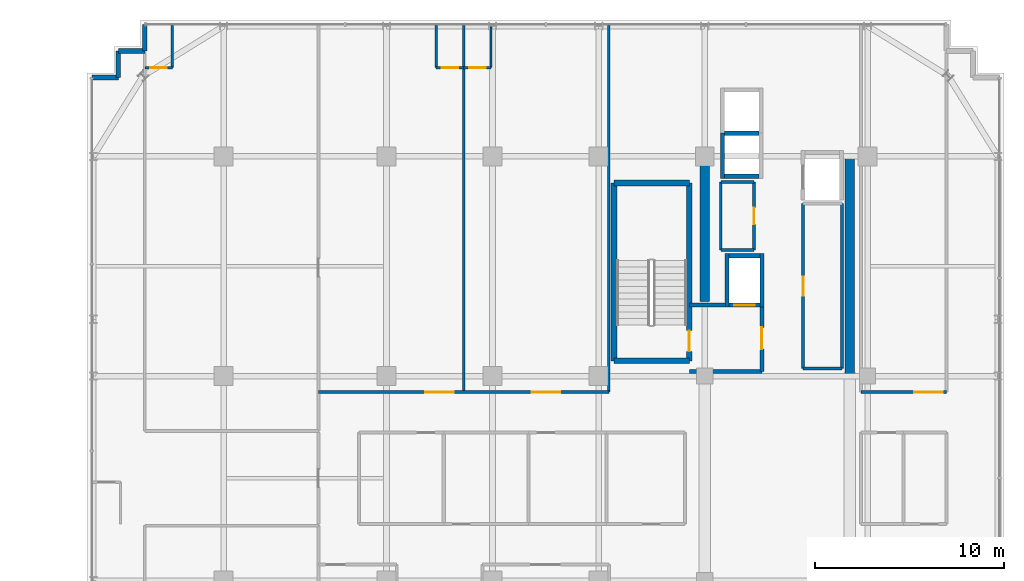
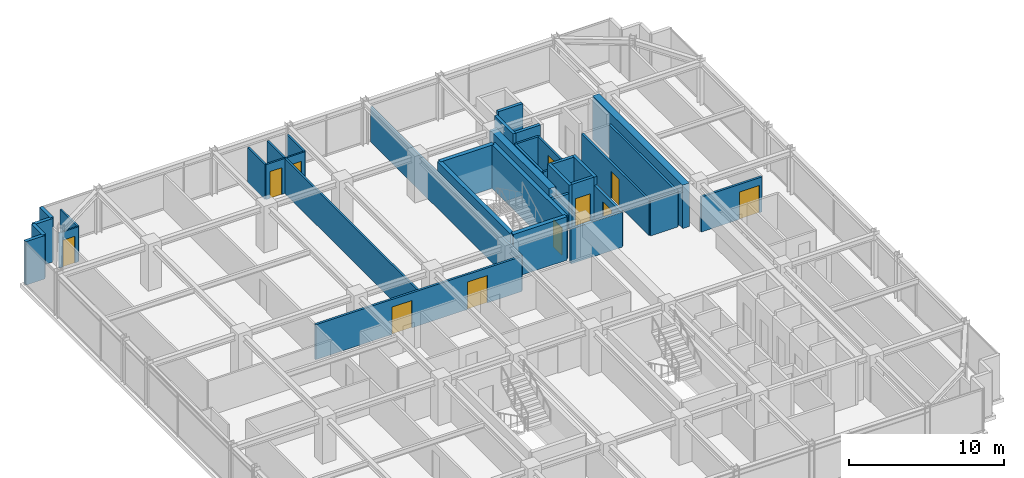
# One storey, part 31 of 35: 37 walls, 11 doors, 11 openings.
"""IFC4 building model written with IfcOpenShell, lengths in metres."""

from ifc_helpers import new_model, si_unit, direction, frame, frame_2d, origin, place, context, subcontext, project, spatial, rectangle, extrude, source, transform, mapped, material, layer, layer_set, type_object, element, fill, save


model = new_model("IFC4")

# Units and contexts
model_context = context("Model", 3, precision=1e-05, world=origin(), true_north=direction((0.0, 1.0)))
body_context = subcontext(model_context, "Body", "Model", "MODEL_VIEW")
ifc_project = project(units=[si_unit("LENGTHUNIT", "METRE"), si_unit("AREAUNIT", "SQUARE_METRE"), si_unit("VOLUMEUNIT", "CUBIC_METRE"), si_unit("PLANEANGLEUNIT", "RADIAN"), si_unit("MASSUNIT", "GRAM", prefix="KILO")], contexts=[model_context])

# Site, building, storey
site_placement = place(None, origin())
site = spatial("IfcSite", under=ifc_project, at=site_placement, CompositionType="ELEMENT")
building_placement = place(site_placement, origin())
building = spatial("IfcBuilding", under=site, at=building_placement, Name="Nahalor Promenade Grand Hotel", CompositionType="ELEMENT")
storey_placement = place(building_placement, frame((0.0, 0.0, 216.0)))
storey = spatial("IfcBuildingStorey", under=building, at=storey_placement, Name="L55", CompositionType="ELEMENT", Elevation=216.0)

# Walls
ifc_material_1 = material(Name="Concrete B-60 (C50/60)", Category="concrete")
ifc_layer_1 = layer(ifc_material_1, 0.5)
ifc_layer_set_1 = layer_set([ifc_layer_1], Name="Concrete B-60 (C50/60)")
wall_type_1 = type_object("IfcWallType", Name="Wall-CoreShear-500", PredefinedType="SHEAR", material=ifc_layer_set_1)
shared_shape_1 = source(origin(), body_context, "Body", "SweptSolid", [
    extrude(rectangle(XDim=7.64990234375, YDim=0.5, at=frame_2d((3.824951171875, 0.0))), origin(), (0.0, 0.0, 1.0), 3.409912109375),
])
wall_1_placement = place(storey_placement, frame((8.39990234375, 9.35009765625, 0.0), z_axis=(0.0, 0.0, 1.0), x_axis=(0.0, 1.0, 0.0)))
element("IfcWall", 1, at=wall_1_placement, inside=storey, type_object=wall_type_1, Name="CWALL-L55-NW", PredefinedType="SHEAR", context=body_context, shape_type="MappedRepresentation", body=[
    mapped(shared_shape_1, transform((0.0, 0.0, 0.0), scale=1.0)),
])
shared_shape_2 = source(origin(), body_context, "Body", "SweptSolid", [
    extrude(rectangle(XDim=11.60009765625, YDim=0.5, at=frame_2d((5.800048828125, 0.0))), origin(), (0.0, 0.0, 1.0), 3.409912109375),
])
wall_2_placement = place(storey_placement, frame((16.050048828125, 5.39990234375, 0.0), z_axis=(0.0, 0.0, 1.0), x_axis=(0.0, 1.0, 0.0)))
element("IfcWall", 2, at=wall_2_placement, inside=storey, type_object=wall_type_1, Name="CWALL-L55-NE", PredefinedType="SHEAR", context=body_context, shape_type="MappedRepresentation", body=[
    mapped(shared_shape_2, transform((0.0, 0.0, 0.0), scale=1.0)),
])
ifc_material_2 = material(Name="Concrete B-50 (C40/50)", Category="concrete")
ifc_layer_2 = layer(ifc_material_2, 0.300048828125)
ifc_layer_set_2 = layer_set([ifc_layer_2], Name="Concrete B-50 (C40/50)")
wall_type_2 = type_object("IfcWallType", Name="Wall-ShaftShear-300", PredefinedType="SHEAR", material=ifc_layer_set_2)
shared_shape_3 = source(origin(), body_context, "Body", "SweptSolid", [
    extrude(rectangle(XDim=3.97998046875, YDim=0.300048828125, at=frame_2d((1.989990234375, 0.0))), origin(), (0.0, 0.0, 1.0), 3.409912109375),
])
for number, where, z_axis, x_axis, name in (
    (3, (3.610107421875, 6.2099609375, 0.0), (0.0, 0.0, 1.0), (1.0, 0.0, 0.0), "L55 Exit Stair ST1 Shaft Wall S"),
    (4, (3.610107421875, 15.590087890625, 0.0), (0.0, 0.0, 1.0), (1.0, 0.0, 0.0), "L55 Exit Stair ST1 Shaft Wall N"),
):
    element("IfcWall", number, at=place(storey_placement, frame(where, z_axis=z_axis, x_axis=x_axis)), inside=storey, type_object=wall_type_2, Name=name, PredefinedType="SHEAR", context=body_context, shape_type="MappedRepresentation", body=[
        mapped(shared_shape_3, transform((0.0, 0.0, 0.0), scale=1.0)),
    ])
shared_shape_4 = source(origin(), body_context, "Body", "SweptSolid", [
    extrude(rectangle(XDim=9.380126953125, YDim=0.300048828125, at=frame_2d((4.68994140625, 0.0))), origin(), (0.0, 0.0, 1.0), 3.409912109375),
])
wall_3_placement = place(storey_placement, frame((3.610107421875, 6.2099609375, 0.0), z_axis=(0.0, 0.0, 1.0), x_axis=(0.0, 1.0, 0.0)))
element("IfcWall", 5, at=wall_3_placement, inside=storey, type_object=wall_type_2, Name="L55 Exit Stair ST1 Shaft Wall W", PredefinedType="SHEAR", context=body_context, shape_type="MappedRepresentation", body=[
    mapped(shared_shape_4, transform((0.0, 0.0, 0.0), scale=1.0)),
])

# Wall, opening, door
wall_4_placement = place(storey_placement, frame((7.590087890625, 6.2099609375, 0.0), z_axis=(0.0, 0.0, 1.0), x_axis=(0.0, 1.0, 0.0)))
wall_4 = element("IfcWall", 6, at=wall_4_placement, inside=storey, type_object=wall_type_2, Name="L55 Exit Stair ST1 Shaft Wall E", PredefinedType="SHEAR", context=body_context, shape_type="MappedRepresentation", body=[
    mapped(shared_shape_4, transform((0.0, 0.0, 0.0), scale=1.0)),
])
opening_1_placement = place(wall_4_placement, frame((0.489990234375, 0.0, 0.0)))
opening_1 = element("IfcOpeningElement", 7, at=opening_1_placement, cuts=wall_4, Name="Opening D-ST1", PredefinedType="OPENING", context=body_context, shape_type="SweptSolid", body=[
    extrude(rectangle(XDim=1.10009765625, YDim=2.14990234375, at=frame_2d((0.550048828125, 1.074951171875))), frame((0.0, 0.159912109375, 0.0), z_axis=(0.0, -1.0, 0.0), x_axis=(1.0, 0.0, 0.0)), (0.0, 0.0, 1.0), 0.320068359375),
])
ifc_material_3 = material(Name="Steel S355JR", Category="steel")
door_type_1 = type_object("IfcDoorType", Name="Door-StairFire-1100", OperationType="NOTDEFINED", PredefinedType="DOOR", material=ifc_material_3)
shared_shape_5 = source(origin(), body_context, "Body", "SweptSolid", [
    extrude(rectangle(XDim=1.10009765625, YDim=2.14990234375, at=frame_2d((0.550048828125, 1.074951171875))), frame((0.0, 0.02490234375, 0.0), z_axis=(0.0, -1.0, 0.0), x_axis=(1.0, 0.0, 0.0)), (0.0, 0.0, 1.0), 0.050048828125),
])
door_1_placement = place(opening_1_placement, origin())
door_1 = element("IfcDoor", 8, at=door_1_placement, inside=storey, type_object=door_type_1, Name="DR-STAIR-ST1-L55", OperationType="SINGLE_SWING_RIGHT", OverallHeight=2.14990234375, OverallWidth=1.10009765625, PredefinedType="DOOR", context=body_context, shape_type="MappedRepresentation", body=[
    mapped(shared_shape_5, transform((0.0, 0.0, 0.0), scale=1.0)),
])
fill(opening_1, door_1)

# Walls
ifc_layer_3 = layer(ifc_material_2, 0.219970703125)
ifc_layer_set_3 = layer_set([ifc_layer_3], Name="Concrete B-50 (C40/50)")
wall_type_3 = type_object("IfcWallType", Name="Wall-LiftShaft-220", PredefinedType="SHEAR", material=ifc_layer_set_3)
shared_shape_6 = source(origin(), body_context, "Body", "SweptSolid", [
    extrude(rectangle(XDim=1.820068359375, YDim=0.219970703125, at=frame_2d((0.91015625, 0.0))), origin(), (0.0, 0.0, 1.0), 3.409912109375),
])
wall_5_placement = place(storey_placement, frame((9.43994140625, 15.949951171875, 0.0), z_axis=(0.0, 0.0, 1.0), x_axis=(1.0, 0.0, 0.0)))
element("IfcWall", 9, at=wall_5_placement, inside=storey, type_object=wall_type_3, Name="L55 Lift OB1 Hoistway Wall S", PredefinedType="SHEAR", context=body_context, shape_type="MappedRepresentation", body=[
    mapped(shared_shape_6, transform((0.0, 0.0, 0.0), scale=1.0)),
])
shared_shape_7 = source(origin(), body_context, "Body", "SweptSolid", [
    extrude(rectangle(XDim=1.820068359375, YDim=0.219970703125, at=frame_2d((0.91015625, 0.0))), origin(), (0.0, 0.0, 1.0), 3.699951171875),
])
wall_6_placement = place(storey_placement, frame((9.43994140625, 18.22509765625, 0.0), z_axis=(0.0, 0.0, 1.0), x_axis=(1.0, 0.0, 0.0)))
element("IfcWall", 10, at=wall_6_placement, inside=storey, type_object=wall_type_3, Name="L55 Lift OB1 Hoistway Wall N", PredefinedType="SHEAR", context=body_context, shape_type="MappedRepresentation", body=[
    mapped(shared_shape_7, transform((0.0, 0.0, 0.0), scale=1.0)),
])
shared_shape_8 = source(origin(), body_context, "Body", "SweptSolid", [
    extrude(rectangle(XDim=2.385009765625, YDim=0.219970703125, at=frame_2d((1.1923828125, 0.0))), origin(), (0.0, 0.0, 1.0), 3.409912109375),
])
wall_7_placement = place(storey_placement, frame((9.330078125, 15.840087890625, 0.0), z_axis=(0.0, 0.0, 1.0), x_axis=(0.0, 1.0, 0.0)))
element("IfcWall", 11, at=wall_7_placement, inside=storey, type_object=wall_type_3, Name="L55 Lift OB1 Hoistway Wall W", PredefinedType="SHEAR", context=body_context, shape_type="MappedRepresentation", body=[
    mapped(shared_shape_8, transform((0.0, 0.0, 0.0), scale=1.0)),
])
shared_shape_9 = source(origin(), body_context, "Body", "SweptSolid", [
    extrude(rectangle(XDim=2.820068359375, YDim=0.219970703125, at=frame_2d((1.41015625, 0.0))), origin(), (0.0, 0.0, 1.0), 3.409912109375),
])
for number, where, z_axis, x_axis, name in (
    (12, (9.580078125, 9.0400390625, 0.0), (0.0, 0.0, 1.0), (0.0, 1.0, 0.0), "L55 Lift FL1 Hoistway Wall W"),
    (13, (11.419921875, 9.0400390625, 0.0), (0.0, 0.0, 1.0), (0.0, 1.0, 0.0), "L55 Lift FL1 Hoistway Wall E"),
):
    element("IfcWall", number, at=place(storey_placement, frame(where, z_axis=z_axis, x_axis=x_axis)), inside=storey, type_object=wall_type_3, Name=name, PredefinedType="SHEAR", context=body_context, shape_type="MappedRepresentation", body=[
        mapped(shared_shape_9, transform((0.0, 0.0, 0.0), scale=1.0)),
    ])

# Wall, opening, door
shared_shape_10 = source(origin(), body_context, "Body", "SweptSolid", [
    extrude(rectangle(XDim=1.6201171875, YDim=0.219970703125, at=frame_2d((0.81005859375, 0.0))), origin(), (0.0, 0.0, 1.0), 3.409912109375),
])
wall_8_placement = place(storey_placement, frame((9.68994140625, 9.14990234375, 0.0), z_axis=(0.0, 0.0, 1.0), x_axis=(1.0, 0.0, 0.0)))
wall_8 = element("IfcWall", 14, at=wall_8_placement, inside=storey, type_object=wall_type_3, Name="L55 Lift FL1 Hoistway Wall S", PredefinedType="SHEAR", context=body_context, shape_type="MappedRepresentation", body=[
    mapped(shared_shape_10, transform((0.0, 0.0, 0.0), scale=1.0)),
])
opening_2_placement = place(wall_8_placement, frame((0.260009765625, 0.0, 0.0)))
opening_2 = element("IfcOpeningElement", 15, at=opening_2_placement, cuts=wall_8, Name="Opening LD-02", PredefinedType="OPENING", context=body_context, shape_type="SweptSolid", body=[
    extrude(rectangle(XDim=1.10009765625, YDim=2.199951171875, at=frame_2d((0.550048828125, 1.10009765625))), frame((0.0, 0.119873046875, 0.0), z_axis=(0.0, -1.0, 0.0), x_axis=(1.0, 0.0, 0.0)), (0.0, 0.0, 1.0), 0.239990234375),
])
door_type_2 = type_object("IfcDoorType", Name="Door-LiftFF-1100", OperationType="DOUBLE_DOOR_SLIDING", PredefinedType="DOOR", material=ifc_material_3)
shared_shape_11 = source(origin(), body_context, "Body", "SweptSolid", [
    extrude(rectangle(XDim=1.10009765625, YDim=2.199951171875, at=frame_2d((0.550048828125, 1.10009765625))), frame((0.0, 0.02490234375, 0.0), z_axis=(0.0, -1.0, 0.0), x_axis=(1.0, 0.0, 0.0)), (0.0, 0.0, 1.0), 0.050048828125),
])
door_2_placement = place(opening_2_placement, frame((1.10009765625, 0.0, 0.0), z_axis=(0.0, 0.0, 1.0), x_axis=(-1.0, 0.0, 0.0)))
door_2 = element("IfcDoor", 16, at=door_2_placement, inside=storey, type_object=door_type_2, Name="DR-LIFT-FL1-L55", OperationType="DOUBLE_DOOR_SLIDING", OverallHeight=2.199951171875, OverallWidth=1.10009765625, PredefinedType="DOOR", context=body_context, shape_type="MappedRepresentation", body=[
    mapped(shared_shape_11, transform((0.0, 0.0, 0.0), scale=1.0)),
])
fill(opening_2, door_2)

# Walls
wall_9_placement = place(storey_placement, frame((9.68994140625, 11.75, 0.0), z_axis=(0.0, 0.0, 1.0), x_axis=(1.0, 0.0, 0.0)))
element("IfcWall", 17, at=wall_9_placement, inside=storey, type_object=wall_type_3, Name="L55 Lift FL1 Hoistway Wall N", PredefinedType="SHEAR", context=body_context, shape_type="MappedRepresentation", body=[
    mapped(shared_shape_10, transform((0.0, 0.0, 0.0), scale=1.0)),
])
ifc_material_4 = material(Name="Concrete B-40 (C32/40)", Category="concrete")
ifc_layer_4 = layer(ifc_material_4, 0.25)
ifc_layer_set_4 = layer_set([ifc_layer_4], Name="Concrete B-40 (C32/40)")
wall_type_4 = type_object("IfcWallType", Name="Wall-BronzePier-250", PredefinedType="STANDARD", material=ifc_layer_set_4)
shared_shape_12 = source(origin(), body_context, "Body", "SweptSolid", [
    extrude(rectangle(XDim=1.39990234375, YDim=0.25, at=frame_2d((0.699951171875, 0.0))), origin(), (0.0, 0.0, 1.0), 3.409912109375),
])
for number, where, z_axis, x_axis, name in (
    (18, (-21.159912109375, 22.56005859375, 0.0), (0.0, 0.0, 1.0), (0.0, 1.0, 0.0), "W-L55-SR-09"),
    (19, (-23.9599609375, 21.159912109375, 0.0), (0.0, 0.0, 1.0), (1.0, 0.0, 0.0), "W-L55-SR-12"),
):
    element("IfcWall", number, at=place(storey_placement, frame(where, z_axis=z_axis, x_axis=x_axis)), inside=storey, type_object=wall_type_4, Name=name, PredefinedType="STANDARD", context=body_context, shape_type="MappedRepresentation", body=[
        mapped(shared_shape_12, transform((0.0, 0.0, 0.0), scale=1.0)),
    ])
shared_shape_13 = source(origin(), body_context, "Body", "SweptSolid", [
    extrude(rectangle(XDim=1.400146484375, YDim=0.25, at=frame_2d((0.7001953125, 0.0))), origin(), (0.0, 0.0, 1.0), 3.409912109375),
])
for number, where, z_axis, x_axis, name in (
    (20, (-22.56005859375, 22.56005859375, 0.0), (0.0, 0.0, 1.0), (1.0, 0.0, 0.0), "W-L55-SR-10"),
    (21, (-22.56005859375, 21.159912109375, 0.0), (0.0, 0.0, 1.0), (0.0, 1.0, 0.0), "W-L55-SR-11"),
):
    element("IfcWall", number, at=place(storey_placement, frame(where, z_axis=z_axis, x_axis=x_axis)), inside=storey, type_object=wall_type_4, Name=name, PredefinedType="STANDARD", context=body_context, shape_type="MappedRepresentation", body=[
        mapped(shared_shape_13, transform((0.0, 0.0, 0.0), scale=1.0)),
    ])
ifc_layer_5 = layer(ifc_material_4, 0.199951171875)
ifc_layer_set_5 = layer_set([ifc_layer_5], Name="Concrete B-40 (C32/40)")
wall_type_5 = type_object("IfcWallType", Name="Wall-PartFire-200", PredefinedType="PARTITIONING", material=ifc_layer_set_5)
shared_shape_14 = source(origin(), body_context, "Body", "SweptSolid", [
    extrude(rectangle(XDim=3.81982421875, YDim=0.199951171875, at=frame_2d((1.909912109375, 0.0))), origin(), (0.0, 0.0, 1.0), 2.75),
])
wall_10_placement = place(storey_placement, frame((7.60009765625, 5.64990234375, 0.0), z_axis=(0.0, 0.0, 1.0), x_axis=(1.0, 0.0, 0.0)))
element("IfcWall", 22, at=wall_10_placement, inside=storey, type_object=wall_type_5, Name="W-L55-FF1-S", PredefinedType="PARTITIONING", context=body_context, shape_type="MappedRepresentation", body=[
    mapped(shared_shape_14, transform((0.0, 0.0, 0.0), scale=1.0)),
])
shared_shape_15 = source(origin(), body_context, "Body", "SweptSolid", [
    extrude(rectangle(XDim=1.89990234375, YDim=0.199951171875, at=frame_2d((0.949951171875, 0.0))), origin(), (0.0, 0.0, 1.0), 2.75),
])
wall_11_placement = place(storey_placement, frame((7.60009765625, 9.14990234375, 0.0), z_axis=(0.0, 0.0, 1.0), x_axis=(1.0, 0.0, 0.0)))
element("IfcWall", 23, at=wall_11_placement, inside=storey, type_object=wall_type_5, Name="W-L55-FF1-N", PredefinedType="PARTITIONING", context=body_context, shape_type="MappedRepresentation", body=[
    mapped(shared_shape_15, transform((0.0, 0.0, 0.0), scale=1.0)),
])

# Wall, opening, door
shared_shape_16 = source(origin(), body_context, "Body", "SweptSolid", [
    extrude(rectangle(XDim=3.5, YDim=0.199951171875, at=frame_2d((1.75, 0.0))), origin(), (0.0, 0.0, 1.0), 2.75),
])
wall_12_placement = place(storey_placement, frame((11.419921875, 5.64990234375, 0.0), z_axis=(0.0, 0.0, 1.0), x_axis=(0.0, 1.0, 0.0)))
wall_12 = element("IfcWall", 24, at=wall_12_placement, inside=storey, type_object=wall_type_5, Name="W-L55-FF1-E", PredefinedType="PARTITIONING", context=body_context, shape_type="MappedRepresentation", body=[
    mapped(shared_shape_16, transform((0.0, 0.0, 0.0), scale=1.0)),
])
opening_3_placement = place(wall_12_placement, frame((1.175048828125, 0.0, 0.0)))
opening_3 = element("IfcOpeningElement", 25, at=opening_3_placement, cuts=wall_12, Name="Opening D-FF1", PredefinedType="OPENING", context=body_context, shape_type="SweptSolid", body=[
    extrude(rectangle(XDim=1.14990234375, YDim=2.14990234375, at=frame_2d((0.574951171875, 1.074951171875))), frame((0.0, 0.10986328125, 0.0), z_axis=(0.0, -1.0, 0.0), x_axis=(1.0, 0.0, 0.0)), (0.0, 0.0, 1.0), 0.219970703125),
])
door_type_3 = type_object("IfcDoorType", Name="Door-FFLobby-1150", OperationType="NOTDEFINED", PredefinedType="DOOR", material=ifc_material_3)
shared_shape_17 = source(origin(), body_context, "Body", "SweptSolid", [
    extrude(rectangle(XDim=1.14990234375, YDim=2.14990234375, at=frame_2d((0.574951171875, 1.074951171875))), frame((0.0, 0.02490234375, 0.0), z_axis=(0.0, -1.0, 0.0), x_axis=(1.0, 0.0, 0.0)), (0.0, 0.0, 1.0), 0.050048828125),
])
door_3_placement = place(opening_3_placement, frame((1.14990234375, 0.0, 0.0), z_axis=(0.0, 0.0, 1.0), x_axis=(-1.0, 0.0, 0.0)))
door_3 = element("IfcDoor", 26, at=door_3_placement, inside=storey, type_object=door_type_3, Name="DR-L55-FFL1", OperationType="SINGLE_SWING_LEFT", OverallHeight=2.14990234375, OverallWidth=1.14990234375, PredefinedType="DOOR", context=body_context, shape_type="MappedRepresentation", body=[
    mapped(shared_shape_17, transform((0.0, 0.0, 0.0), scale=1.0)),
])
fill(opening_3, door_3)

# Walls
ifc_material_5 = material(Name="Acoustic Mineral Gypsum", Category="gypsum")
ifc_layer_6 = layer(ifc_material_5, 0.14990234375)
ifc_layer_set_6 = layer_set([ifc_layer_6], Name="Acoustic Mineral Gypsum")
wall_type_6 = type_object("IfcWallType", Name="Wall-PartService-150", PredefinedType="PARTITIONING", material=ifc_layer_set_6)
shared_shape_18 = source(origin(), body_context, "Body", "SweptSolid", [
    extrude(rectangle(XDim=1.75, YDim=0.14990234375, at=frame_2d((0.875, 0.0))), origin(), (0.0, 0.0, 1.0), 2.75),
])
for number, where, z_axis, x_axis, name in (
    (27, (9.25, 12.050048828125, 0.0), (0.0, 0.0, 1.0), (1.0, 0.0, 0.0), "W-L55-CK1A-S"),
    (28, (9.25, 15.64990234375, 0.0), (0.0, 0.0, 1.0), (1.0, 0.0, 0.0), "W-L55-CK1A-N"),
):
    element("IfcWall", number, at=place(storey_placement, frame(where, z_axis=z_axis, x_axis=x_axis)), inside=storey, type_object=wall_type_6, Name=name, PredefinedType="PARTITIONING", context=body_context, shape_type="MappedRepresentation", body=[
        mapped(shared_shape_18, transform((0.0, 0.0, 0.0), scale=1.0)),
    ])
shared_shape_19 = source(origin(), body_context, "Body", "SweptSolid", [
    extrude(rectangle(XDim=3.599853515625, YDim=0.14990234375, at=frame_2d((1.7998046875, 0.0))), origin(), (0.0, 0.0, 1.0), 2.75),
])
wall_13_placement = place(storey_placement, frame((9.25, 12.050048828125, 0.0), z_axis=(0.0, 0.0, 1.0), x_axis=(0.0, 1.0, 0.0)))
element("IfcWall", 29, at=wall_13_placement, inside=storey, type_object=wall_type_6, Name="W-L55-CK1A-W", PredefinedType="PARTITIONING", context=body_context, shape_type="MappedRepresentation", body=[
    mapped(shared_shape_19, transform((0.0, 0.0, 0.0), scale=1.0)),
])

# Wall, opening, door
wall_14_placement = place(storey_placement, frame((11.0, 12.050048828125, 0.0), z_axis=(0.0, 0.0, 1.0), x_axis=(0.0, 1.0, 0.0)))
wall_14 = element("IfcWall", 30, at=wall_14_placement, inside=storey, type_object=wall_type_6, Name="W-L55-CK1A-E", PredefinedType="PARTITIONING", context=body_context, shape_type="MappedRepresentation", body=[
    mapped(shared_shape_19, transform((0.0, 0.0, 0.0), scale=1.0)),
])
opening_4_placement = place(wall_14_placement, frame((1.360107421875, 0.0, 0.0)))
opening_4 = element("IfcOpeningElement", 31, at=opening_4_placement, cuts=wall_14, Name="Opening D-03", PredefinedType="OPENING", context=body_context, shape_type="SweptSolid", body=[
    extrude(rectangle(XDim=0.8798828125, YDim=2.10009765625, at=frame_2d((0.43994140625, 1.050048828125))), frame((0.0, 0.0849609375, 0.0), z_axis=(0.0, -1.0, 0.0), x_axis=(1.0, 0.0, 0.0)), (0.0, 0.0, 1.0), 0.169921875),
])
ifc_material_6 = material(Name="Fire-Rated Timber Composite", Category="wood")
door_type_4 = type_object("IfcDoorType", Name="Door-BathSwing-880", OperationType="NOTDEFINED", PredefinedType="DOOR", material=ifc_material_6)
shared_shape_20 = source(origin(), body_context, "Body", "SweptSolid", [
    extrude(rectangle(XDim=0.8798828125, YDim=2.10009765625, at=frame_2d((0.43994140625, 1.050048828125))), frame((0.0, 0.02490234375, 0.0), z_axis=(0.0, -1.0, 0.0), x_axis=(1.0, 0.0, 0.0)), (0.0, 0.0, 1.0), 0.050048828125),
])
door_4_placement = place(opening_4_placement, origin())
door_4 = element("IfcDoor", 32, at=door_4_placement, inside=storey, type_object=door_type_4, Name="DR-L55-CK1A", OperationType="SINGLE_SWING_LEFT", OverallHeight=2.10009765625, OverallWidth=0.8798828125, PredefinedType="DOOR", context=body_context, shape_type="MappedRepresentation", body=[
    mapped(shared_shape_20, transform((0.0, 0.0, 0.0), scale=1.0)),
])
fill(opening_4, door_4)

# Wall
ifc_layer_7 = layer(ifc_material_5, 0.159912109375)
ifc_layer_set_7 = layer_set([ifc_layer_7], Name="Acoustic Mineral Gypsum")
wall_type_7 = type_object("IfcWallType", Name="Wall-PartCorridor-160", PredefinedType="PARTITIONING", material=ifc_layer_set_7)
shared_shape_21 = source(origin(), body_context, "Body", "SweptSolid", [
    extrude(rectangle(XDim=2.0498046875, YDim=0.159912109375, at=frame_2d((1.02490234375, 0.0))), origin(), (0.0, 0.0, 1.0), 2.75),
])
wall_15_placement = place(storey_placement, frame((13.60009765625, 5.800048828125, 0.0), z_axis=(0.0, 0.0, 1.0), x_axis=(1.0, 0.0, 0.0)))
element("IfcWall", 33, at=wall_15_placement, inside=storey, type_object=wall_type_7, Name="W-L55-FRB1-S", PredefinedType="PARTITIONING", context=body_context, shape_type="MappedRepresentation", body=[
    mapped(shared_shape_21, transform((0.0, 0.0, 0.0), scale=1.0)),
])

# Wall, opening, door
shared_shape_22 = source(origin(), body_context, "Body", "SweptSolid", [
    extrude(rectangle(XDim=8.699951171875, YDim=0.159912109375, at=frame_2d((4.35009765625, 0.0))), origin(), (0.0, 0.0, 1.0), 2.75),
])
wall_16_placement = place(storey_placement, frame((13.60009765625, 5.800048828125, 0.0), z_axis=(0.0, 0.0, 1.0), x_axis=(0.0, 1.0, 0.0)))
wall_16 = element("IfcWall", 34, at=wall_16_placement, inside=storey, type_object=wall_type_7, Name="W-L55-FRB1-W", PredefinedType="PARTITIONING", context=body_context, shape_type="MappedRepresentation", body=[
    mapped(shared_shape_22, transform((0.0, 0.0, 0.0), scale=1.0)),
])
opening_5_placement = place(wall_16_placement, frame((3.85009765625, 0.0, 0.0)))
opening_5 = element("IfcOpeningElement", 35, at=opening_5_placement, cuts=wall_16, Name="Opening D-04", PredefinedType="OPENING", context=body_context, shape_type="SweptSolid", body=[
    extrude(rectangle(XDim=1.0, YDim=2.10009765625, at=frame_2d((0.5, 1.050048828125))), frame((0.0, 0.08984375, 0.0), z_axis=(0.0, -1.0, 0.0), x_axis=(1.0, 0.0, 0.0)), (0.0, 0.0, 1.0), 0.179931640625),
])
door_type_5 = type_object("IfcDoorType", Name="Door-ServiceFire-1000", OperationType="NOTDEFINED", PredefinedType="DOOR", material=ifc_material_3)
shared_shape_23 = source(origin(), body_context, "Body", "SweptSolid", [
    extrude(rectangle(XDim=1.0, YDim=2.10009765625, at=frame_2d((0.5, 1.050048828125))), frame((0.0, 0.02490234375, 0.0), z_axis=(0.0, -1.0, 0.0), x_axis=(1.0, 0.0, 0.0)), (0.0, 0.0, 1.0), 0.050048828125),
])
door_5_placement = place(opening_5_placement, frame((1.0, 0.0, 0.0), z_axis=(0.0, 0.0, 1.0), x_axis=(-1.0, 0.0, 0.0)))
door_5 = element("IfcDoor", 36, at=door_5_placement, inside=storey, type_object=door_type_5, Name="DR-L55-FRB1", OperationType="SINGLE_SWING_RIGHT", OverallHeight=2.10009765625, OverallWidth=1.0, PredefinedType="DOOR", context=body_context, shape_type="MappedRepresentation", body=[
    mapped(shared_shape_23, transform((0.0, 0.0, 0.0), scale=1.0)),
])
fill(opening_5, door_5)

# Wall
wall_17_placement = place(storey_placement, frame((15.64990234375, 5.800048828125, 0.0), z_axis=(0.0, 0.0, 1.0), x_axis=(0.0, 1.0, 0.0)))
element("IfcWall", 37, at=wall_17_placement, inside=storey, type_object=wall_type_7, Name="W-L55-FRB1-E", PredefinedType="PARTITIONING", context=body_context, shape_type="MappedRepresentation", body=[
    mapped(shared_shape_22, transform((0.0, 0.0, 0.0), scale=1.0)),
])

# Wall, opening, door
ifc_layer_8 = layer(ifc_material_5, 0.1201171875)
ifc_layer_set_8 = layer_set([ifc_layer_8], Name="Acoustic Mineral Gypsum")
wall_type_8 = type_object("IfcWallType", Name="Wall-PartBath-120", PredefinedType="PARTITIONING", material=ifc_layer_set_8)
shared_shape_24 = source(origin(), body_context, "Body", "SweptSolid", [
    extrude(rectangle(XDim=1.449951171875, YDim=0.1201171875, at=frame_2d((0.72509765625, 0.0))), origin(), (0.0, 0.0, 1.0), 2.75),
])
wall_18_placement = place(storey_placement, frame((-21.159912109375, 21.679931640625, 0.0), z_axis=(0.0, 0.0, 1.0), x_axis=(1.0, 0.0, 0.0)))
wall_18 = element("IfcWall", 38, at=wall_18_placement, inside=storey, type_object=wall_type_8, Name="W-L55-NW0-BH", PredefinedType="PARTITIONING", context=body_context, shape_type="MappedRepresentation", body=[
    mapped(shared_shape_24, transform((0.0, 0.0, 0.0), scale=1.0)),
])
opening_6_placement = place(wall_18_placement, frame((0.284912109375, 0.0, 0.0)))
opening_6 = element("IfcOpeningElement", 39, at=opening_6_placement, cuts=wall_18, Name="Opening D-03", PredefinedType="OPENING", context=body_context, shape_type="SweptSolid", body=[
    extrude(rectangle(XDim=0.8798828125, YDim=2.10009765625, at=frame_2d((0.43994140625, 1.050048828125))), frame((0.0, 0.070068359375, 0.0), z_axis=(0.0, -1.0, 0.0), x_axis=(1.0, 0.0, 0.0)), (0.0, 0.0, 1.0), 0.14013671875),
])
door_6_placement = place(opening_6_placement, origin())
door_6 = element("IfcDoor", 40, at=door_6_placement, inside=storey, type_object=door_type_4, Name="DR-L55-NW0-BATH", OperationType="SINGLE_SWING_LEFT", OverallHeight=2.10009765625, OverallWidth=0.8798828125, PredefinedType="DOOR", context=body_context, shape_type="MappedRepresentation", body=[
    mapped(shared_shape_20, transform((0.0, 0.0, 0.0), scale=1.0)),
])
fill(opening_6, door_6)

wall_19_placement = place(storey_placement, frame((-5.780029296875, 21.679931640625, 0.0), z_axis=(0.0, 0.0, 1.0), x_axis=(1.0, 0.0, 0.0)))
wall_19 = element("IfcWall", 41, at=wall_19_placement, inside=storey, type_object=wall_type_8, Name="W-L55-N1-BH", PredefinedType="PARTITIONING", context=body_context, shape_type="MappedRepresentation", body=[
    mapped(shared_shape_24, transform((0.0, 0.0, 0.0), scale=1.0)),
])
opening_7_placement = place(wall_19_placement, frame((0.284912109375, 0.0, 0.0)))
opening_7 = element("IfcOpeningElement", 42, at=opening_7_placement, cuts=wall_19, Name="Opening D-03", PredefinedType="OPENING", context=body_context, shape_type="SweptSolid", body=[
    extrude(rectangle(XDim=0.8798828125, YDim=2.10009765625, at=frame_2d((0.43994140625, 1.050048828125))), frame((0.0, 0.070068359375, 0.0), z_axis=(0.0, -1.0, 0.0), x_axis=(1.0, 0.0, 0.0)), (0.0, 0.0, 1.0), 0.14013671875),
])
door_7_placement = place(opening_7_placement, origin())
door_7 = element("IfcDoor", 43, at=door_7_placement, inside=storey, type_object=door_type_4, Name="DR-L55-N1-BATH", OperationType="SINGLE_SWING_LEFT", OverallHeight=2.10009765625, OverallWidth=0.8798828125, PredefinedType="DOOR", context=body_context, shape_type="MappedRepresentation", body=[
    mapped(shared_shape_20, transform((0.0, 0.0, 0.0), scale=1.0)),
])
fill(opening_7, door_7)

# Walls
shared_shape_25 = source(origin(), body_context, "Body", "SweptSolid", [
    extrude(rectangle(XDim=2.219970703125, YDim=0.1201171875, at=frame_2d((1.10986328125, 0.0))), origin(), (0.0, 0.0, 1.0), 2.75),
])
for number, where, z_axis, x_axis, name in (
    (44, (-19.7099609375, 21.679931640625, 0.0), (0.0, 0.0, 1.0), (0.0, 1.0, 0.0), "W-L55-NW0-BV"),
    (45, (-5.780029296875, 21.679931640625, 0.0), (0.0, 0.0, 1.0), (0.0, 1.0, 0.0), "W-L55-N1-BV"),
    (46, (-2.8798828125, 21.679931640625, 0.0), (0.0, 0.0, 1.0), (0.0, 1.0, 0.0), "W-L55-N2-BV"),
):
    element("IfcWall", number, at=place(storey_placement, frame(where, z_axis=z_axis, x_axis=x_axis)), inside=storey, type_object=wall_type_8, Name=name, PredefinedType="PARTITIONING", context=body_context, shape_type="MappedRepresentation", body=[
        mapped(shared_shape_25, transform((0.0, 0.0, 0.0), scale=1.0)),
    ])
ifc_layer_9 = layer(ifc_material_5, 0.139892578125)
ifc_layer_set_9 = layer_set([ifc_layer_9], Name="Acoustic Mineral Gypsum")
wall_type_9 = type_object("IfcWallType", Name="Wall-PartSuite-140", PredefinedType="PARTITIONING", material=ifc_layer_set_9)
shared_shape_26 = source(origin(), body_context, "Body", "SweptSolid", [
    extrude(rectangle(XDim=19.349853515625, YDim=0.139892578125, at=frame_2d((9.6748046875, 0.0))), origin(), (0.0, 0.0, 1.0), 2.75),
])
for number, where, z_axis, x_axis, name in (
    (47, (3.340087890625, 4.550048828125, 0.0), (0.0, 0.0, 1.0), (0.0, 1.0, 0.0), "W-L55-NW-ENDE"),
    (48, (-4.330078125, 4.550048828125, 0.0), (0.0, 0.0, 1.0), (0.0, 1.0, 0.0), "W-L55-NP-1"),
):
    element("IfcWall", number, at=place(storey_placement, frame(where, z_axis=z_axis, x_axis=x_axis)), inside=storey, type_object=wall_type_9, Name=name, PredefinedType="PARTITIONING", context=body_context, shape_type="MappedRepresentation", body=[
        mapped(shared_shape_26, transform((0.0, 0.0, 0.0), scale=1.0)),
    ])

# Wall, opening, door
shared_shape_27 = source(origin(), body_context, "Body", "SweptSolid", [
    extrude(rectangle(XDim=1.4501953125, YDim=0.1201171875, at=frame_2d((0.72509765625, 0.0))), origin(), (0.0, 0.0, 1.0), 2.75),
])
wall_20_placement = place(storey_placement, frame((-4.330078125, 21.679931640625, 0.0), z_axis=(0.0, 0.0, 1.0), x_axis=(1.0, 0.0, 0.0)))
wall_20 = element("IfcWall", 49, at=wall_20_placement, inside=storey, type_object=wall_type_8, Name="W-L55-N2-BH", PredefinedType="PARTITIONING", context=body_context, shape_type="MappedRepresentation", body=[
    mapped(shared_shape_27, transform((0.0, 0.0, 0.0), scale=1.0)),
])
opening_8_placement = place(wall_20_placement, frame((0.284912109375, 0.0, 0.0)))
opening_8 = element("IfcOpeningElement", 50, at=opening_8_placement, cuts=wall_20, Name="Opening D-03", PredefinedType="OPENING", context=body_context, shape_type="SweptSolid", body=[
    extrude(rectangle(XDim=0.8798828125, YDim=2.10009765625, at=frame_2d((0.43994140625, 1.050048828125))), frame((0.0, 0.070068359375, 0.0), z_axis=(0.0, -1.0, 0.0), x_axis=(1.0, 0.0, 0.0)), (0.0, 0.0, 1.0), 0.14013671875),
])
door_8_placement = place(opening_8_placement, origin())
door_8 = element("IfcDoor", 51, at=door_8_placement, inside=storey, type_object=door_type_4, Name="DR-L55-N2-BATH", OperationType="SINGLE_SWING_RIGHT", OverallHeight=2.10009765625, OverallWidth=0.8798828125, PredefinedType="DOOR", context=body_context, shape_type="MappedRepresentation", body=[
    mapped(shared_shape_20, transform((0.0, 0.0, 0.0), scale=1.0)),
])
fill(opening_8, door_8)

shared_shape_28 = source(origin(), body_context, "Body", "SweptSolid", [
    extrude(rectangle(XDim=4.510009765625, YDim=0.159912109375, at=frame_2d((2.2548828125, 0.0))), origin(), (0.0, 0.0, 1.0), 2.75),
])
wall_21_placement = place(storey_placement, frame((16.64990234375, 4.550048828125, 0.0), z_axis=(0.0, 0.0, 1.0), x_axis=(1.0, 0.0, 0.0)))
wall_21 = element("IfcWall", 52, at=wall_21_placement, inside=storey, type_object=wall_type_7, Name="W-L55-ENE-S", PredefinedType="PARTITIONING", context=body_context, shape_type="MappedRepresentation", body=[
    mapped(shared_shape_28, transform((0.0, 0.0, 0.0), scale=1.0)),
])
opening_9_placement = place(wall_21_placement, frame((2.820068359375, 0.0, 0.0)))
opening_9 = element("IfcOpeningElement", 53, at=opening_9_placement, cuts=wall_21, Name="Opening D-02", PredefinedType="OPENING", context=body_context, shape_type="SweptSolid", body=[
    extrude(rectangle(XDim=1.5, YDim=2.14990234375, at=frame_2d((0.75, 1.074951171875))), frame((0.0, 0.08984375, 0.0), z_axis=(0.0, -1.0, 0.0), x_axis=(1.0, 0.0, 0.0)), (0.0, 0.0, 1.0), 0.179931640625),
])
door_type_6 = type_object("IfcDoorType", Name="Door-SuiteDouble-1500", OperationType="DOUBLE_DOOR_SINGLE_SWING", PredefinedType="DOOR", material=ifc_material_6)
shared_shape_29 = source(origin(), body_context, "Body", "SweptSolid", [
    extrude(rectangle(XDim=1.5, YDim=2.14990234375, at=frame_2d((0.75, 1.074951171875))), frame((0.0, 0.02490234375, 0.0), z_axis=(0.0, -1.0, 0.0), x_axis=(1.0, 0.0, 0.0)), (0.0, 0.0, 1.0), 0.050048828125),
])
door_9_placement = place(opening_9_placement, origin())
door_9 = element("IfcDoor", 54, at=door_9_placement, inside=storey, type_object=door_type_6, Name="DR-L55-ENE", OperationType="DOUBLE_DOOR_SINGLE_SWING", OverallHeight=2.14990234375, OverallWidth=1.5, PredefinedType="DOOR", context=body_context, shape_type="MappedRepresentation", body=[
    mapped(shared_shape_29, transform((0.0, 0.0, 0.0), scale=1.0)),
])
fill(opening_9, door_9)

# Wall, openings, doors
shared_shape_30 = source(origin(), body_context, "Body", "SweptSolid", [
    extrude(rectangle(XDim=15.340087890625, YDim=0.159912109375, at=frame_2d((7.669921875, 0.0))), origin(), (0.0, 0.0, 1.0), 2.75),
])
wall_22_placement = place(storey_placement, frame((-12.0, 4.550048828125, 0.0), z_axis=(0.0, 0.0, 1.0), x_axis=(1.0, 0.0, 0.0)))
wall_22 = element("IfcWall", 55, at=wall_22_placement, inside=storey, type_object=wall_type_7, Name="W-L55-CORR-N", PredefinedType="PARTITIONING", context=body_context, shape_type="MappedRepresentation", body=[
    mapped(shared_shape_30, transform((0.0, 0.0, 0.0), scale=1.0)),
])
opening_10_placement = place(wall_22_placement, frame((5.655029296875, 0.0, 0.0)))
opening_10 = element("IfcOpeningElement", 56, at=opening_10_placement, cuts=wall_22, Name="Opening D-02", PredefinedType="OPENING", context=body_context, shape_type="SweptSolid", body=[
    extrude(rectangle(XDim=1.5, YDim=2.14990234375, at=frame_2d((0.75, 1.074951171875))), frame((0.0, 0.08984375, 0.0), z_axis=(0.0, -1.0, 0.0), x_axis=(1.0, 0.0, 0.0)), (0.0, 0.0, 1.0), 0.179931640625),
])
opening_11_placement = place(wall_22_placement, frame((11.26904296875, 0.0, 0.0)))
opening_11 = element("IfcOpeningElement", 57, at=opening_11_placement, cuts=wall_22, Name="Opening D-02", PredefinedType="OPENING", context=body_context, shape_type="SweptSolid", body=[
    extrude(rectangle(XDim=1.5, YDim=2.14990234375, at=frame_2d((0.75, 1.074951171875))), frame((0.0, 0.08984375, 0.0), z_axis=(0.0, -1.0, 0.0), x_axis=(1.0, 0.0, 0.0)), (0.0, 0.0, 1.0), 0.179931640625),
])
door_10_placement = place(opening_10_placement, origin())
door_10 = element("IfcDoor", 58, at=door_10_placement, inside=storey, type_object=door_type_6, Name="DR-L55-N1-ENT", OperationType="DOUBLE_DOOR_SINGLE_SWING", OverallHeight=2.14990234375, OverallWidth=1.5, PredefinedType="DOOR", context=body_context, shape_type="MappedRepresentation", body=[
    mapped(shared_shape_29, transform((0.0, 0.0, 0.0), scale=1.0)),
])
fill(opening_10, door_10)
door_11_placement = place(opening_11_placement, origin())
door_11 = element("IfcDoor", 59, at=door_11_placement, inside=storey, type_object=door_type_6, Name="DR-L55-N2-ENT", OperationType="DOUBLE_DOOR_SINGLE_SWING", OverallHeight=2.14990234375, OverallWidth=1.5, PredefinedType="DOOR", context=body_context, shape_type="MappedRepresentation", body=[
    mapped(shared_shape_29, transform((0.0, 0.0, 0.0), scale=1.0)),
])
fill(opening_11, door_11)

save(model, "model.ifc")
